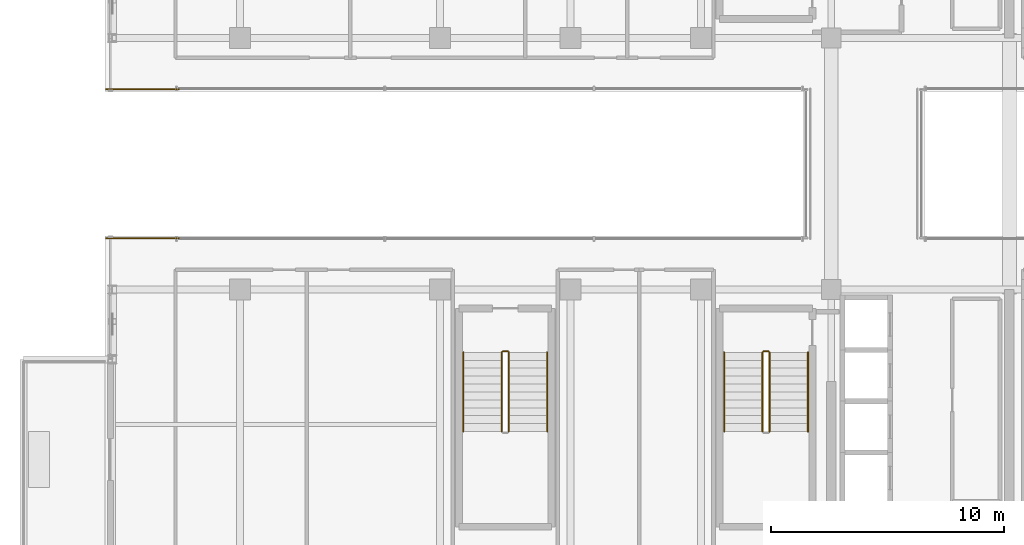
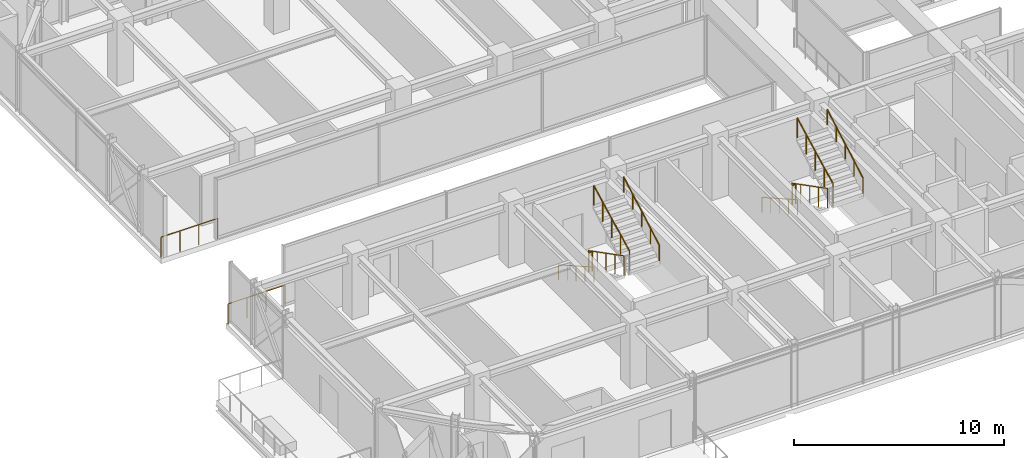
# One storey, part 35 of 37: 12 railings.
"""IFC4 building model written with IfcOpenShell, lengths in metres."""

from ifc_helpers import new_model, si_unit, direction, frame, origin, origin_2d, place, context, subcontext, project, spatial, circle, extrude, material, type_object, element, save


model = new_model("IFC4")

# Units and contexts
model_context = context("Model", 3, precision=1e-05, world=origin(), true_north=direction((0.0, 1.0)))
body_context = subcontext(model_context, "Body", "Model", "MODEL_VIEW")
ifc_project = project(units=[si_unit("LENGTHUNIT", "METRE"), si_unit("AREAUNIT", "SQUARE_METRE"), si_unit("VOLUMEUNIT", "CUBIC_METRE"), si_unit("PLANEANGLEUNIT", "RADIAN"), si_unit("MASSUNIT", "GRAM", prefix="KILO")], contexts=[model_context])

# Site, building, storey
site_placement = place(None, origin())
site = spatial("IfcSite", under=ifc_project, at=site_placement, CompositionType="ELEMENT")
building_placement = place(site_placement, origin())
building = spatial("IfcBuilding", under=site, at=building_placement, Name="Nahalor Promenade Grand Hotel", CompositionType="ELEMENT")
storey_placement = place(building_placement, frame((0.0, 0.0, 308.050048828125)))
storey = spatial("IfcBuildingStorey", under=building, at=storey_placement, Name="L79", CompositionType="ELEMENT", Elevation=308.050048828125)

# Railings
ifc_material_1 = material(Name="Anodised Bronze Aluminium EN AW-6063 T6", Category="aluminium")
railing_type_1 = type_object("IfcRailingType", Name="Bronze Balcony Guardrail 1200 mm", PredefinedType="GUARDRAIL", material=ifc_material_1)
for number, where, name in (
    (1, (-22.739990234375, -3.199951171875, 0.0), "L79 Oculus Void Edge Guardrail WS"),
    (2, (-22.739990234375, 3.199951171875, 0.0), "L79 Oculus Void Edge Guardrail WN"),
):
    element("IfcRailing", number, at=place(storey_placement, frame(where)), inside=storey, type_object=railing_type_1, Name=name, PredefinedType="GUARDRAIL", context=body_context, shape_type="SweptSolid", body=[
        extrude(circle(Radius=0.024048, at=origin_2d()), frame((0.0, 0.0, 1.17578125), z_axis=(1.0, 0.0, 0.0), x_axis=(0.0, 1.0, 0.0)), (0.0, 0.0, 1.0), 3.119873046875),
        extrude(circle(Radius=0.020996, at=origin_2d()), origin(), (0.0, 0.0, 1.0), 1.14990234375),
        extrude(circle(Radius=0.020996, at=origin_2d()), frame((1.0400390625, 0.0, 0.0)), (0.0, 0.0, 1.0), 1.14990234375),
        extrude(circle(Radius=0.020996, at=origin_2d()), frame((2.079833984375, 0.0, 0.0)), (0.0, 0.0, 1.0), 1.14990234375),
        extrude(circle(Radius=0.020996, at=origin_2d()), frame((3.119873046875, 0.0, 0.0)), (0.0, 0.0, 1.0), 1.14990234375),
    ])
ifc_material_2 = material(Name="Steel S355JR", Category="steel")
railing_type_2 = type_object("IfcRailingType", Name="Steel Stair Guardrail 1150 mm", PredefinedType="GUARDRAIL", material=ifc_material_2)
railing_1_placement = place(storey_placement, frame((5.449951171875, -8.10009765625, 0.175048828125)))
element("IfcRailing", 3, at=railing_1_placement, inside=storey, type_object=railing_type_2, Name="L79 ST2 stair guard 1", PredefinedType="GUARDRAIL", context=body_context, shape_type="SweptSolid", body=[
    extrude(circle(Radius=0.024048, at=origin_2d()), frame((0.0, 0.0, 1.1259765625), z_axis=(0.0, -0.889130461562, 0.457653823673), x_axis=(1.0, 0.0, 0.0)), (0.0, 0.0, 1.0), 3.82373046875),
    extrude(circle(Radius=0.020996, at=origin_2d()), origin(), (0.0, 0.0, 1.0), 1.099853515625),
    extrude(circle(Radius=0.020996, at=origin_2d()), frame((0.0, -0.85009765625, 0.4375)), (0.0, 0.0, 1.0), 1.099853515625),
    extrude(circle(Radius=0.020996, at=origin_2d()), frame((0.0, -1.699951171875, 0.875)), (0.0, 0.0, 1.0), 1.099853515625),
    extrude(circle(Radius=0.020996, at=origin_2d()), frame((0.0, -2.5498046875, 1.3125)), (0.0, 0.0, 1.0), 1.099853515625),
    extrude(circle(Radius=0.020996, at=origin_2d()), frame((0.0, -3.39990234375, 1.75)), (0.0, 0.0, 1.0), 1.099853515625),
])
railing_2_placement = place(storey_placement, frame((5.75, -11.5, 2.099853515625)))
element("IfcRailing", 4, at=railing_2_placement, inside=storey, type_object=railing_type_2, Name="L79 ST2 stair guard 3", PredefinedType="GUARDRAIL", context=body_context, shape_type="SweptSolid", body=[
    extrude(circle(Radius=0.024048, at=origin_2d()), frame((0.0, 0.0, 1.1259765625), z_axis=(0.0, 0.889130461562, 0.457653823673), x_axis=(-1.0, 0.0, 0.0)), (0.0, 0.0, 1.0), 3.82373046875),
    extrude(circle(Radius=0.020996, at=origin_2d()), origin(), (0.0, 0.0, 1.0), 1.099853515625),
    extrude(circle(Radius=0.020996, at=origin_2d()), frame((0.0, 0.85009765625, 0.4375)), (0.0, 0.0, 1.0), 1.099853515625),
    extrude(circle(Radius=0.020996, at=origin_2d()), frame((0.0, 1.699951171875, 0.875)), (0.0, 0.0, 1.0), 1.099853515625),
    extrude(circle(Radius=0.020996, at=origin_2d()), frame((0.0, 2.5498046875, 1.3125)), (0.0, 0.0, 1.0), 1.099853515625),
    extrude(circle(Radius=0.020996, at=origin_2d()), frame((0.0, 3.39990234375, 1.75)), (0.0, 0.0, 1.0), 1.099853515625),
])
railing_3_placement = place(storey_placement, frame((5.5, -8.050048828125, 0.0)))
element("IfcRailing", 5, at=railing_3_placement, inside=storey, type_object=railing_type_2, Name="L79 ST2 stair guard 4", PredefinedType="GUARDRAIL", context=body_context, shape_type="SweptSolid", body=[
    extrude(circle(Radius=0.024048, at=origin_2d()), frame((0.0, 0.0, 1.1259765625), z_axis=(1.0, 0.0, 0.0), x_axis=(0.0, 1.0, 0.0)), (0.0, 0.0, 1.0), 0.199951171875),
    extrude(circle(Radius=0.020996, at=origin_2d()), origin(), (0.0, 0.0, 1.0), 1.099853515625),
    extrude(circle(Radius=0.020996, at=origin_2d()), frame((0.199951171875, 0.0, 0.0)), (0.0, 0.0, 1.0), 1.099853515625),
])
railing_4_placement = place(storey_placement, frame((-5.75, -8.10009765625, 0.175048828125)))
element("IfcRailing", 6, at=railing_4_placement, inside=storey, type_object=railing_type_2, Name="L79 ST3 stair guard 1", PredefinedType="GUARDRAIL", context=body_context, shape_type="SweptSolid", body=[
    extrude(circle(Radius=0.024048, at=origin_2d()), frame((0.0, 0.0, 1.1259765625), z_axis=(0.0, -0.889130461562, 0.457653823673), x_axis=(1.0, 0.0, 0.0)), (0.0, 0.0, 1.0), 3.82373046875),
    extrude(circle(Radius=0.020996, at=origin_2d()), origin(), (0.0, 0.0, 1.0), 1.099853515625),
    extrude(circle(Radius=0.020996, at=origin_2d()), frame((0.0, -0.85009765625, 0.4375)), (0.0, 0.0, 1.0), 1.099853515625),
    extrude(circle(Radius=0.020996, at=origin_2d()), frame((0.0, -1.699951171875, 0.875)), (0.0, 0.0, 1.0), 1.099853515625),
    extrude(circle(Radius=0.020996, at=origin_2d()), frame((0.0, -2.5498046875, 1.3125)), (0.0, 0.0, 1.0), 1.099853515625),
    extrude(circle(Radius=0.020996, at=origin_2d()), frame((0.0, -3.39990234375, 1.75)), (0.0, 0.0, 1.0), 1.099853515625),
])
railing_5_placement = place(storey_placement, frame((-5.449951171875, -11.5, 2.099853515625)))
element("IfcRailing", 7, at=railing_5_placement, inside=storey, type_object=railing_type_2, Name="L79 ST3 stair guard 3", PredefinedType="GUARDRAIL", context=body_context, shape_type="SweptSolid", body=[
    extrude(circle(Radius=0.024048, at=origin_2d()), frame((0.0, 0.0, 1.1259765625), z_axis=(0.0, 0.889130461562, 0.457653823673), x_axis=(-1.0, 0.0, 0.0)), (0.0, 0.0, 1.0), 3.82373046875),
    extrude(circle(Radius=0.020996, at=origin_2d()), origin(), (0.0, 0.0, 1.0), 1.099853515625),
    extrude(circle(Radius=0.020996, at=origin_2d()), frame((0.0, 0.85009765625, 0.4375)), (0.0, 0.0, 1.0), 1.099853515625),
    extrude(circle(Radius=0.020996, at=origin_2d()), frame((0.0, 1.699951171875, 0.875)), (0.0, 0.0, 1.0), 1.099853515625),
    extrude(circle(Radius=0.020996, at=origin_2d()), frame((0.0, 2.5498046875, 1.3125)), (0.0, 0.0, 1.0), 1.099853515625),
    extrude(circle(Radius=0.020996, at=origin_2d()), frame((0.0, 3.39990234375, 1.75)), (0.0, 0.0, 1.0), 1.099853515625),
])
railing_6_placement = place(storey_placement, frame((-5.699951171875, -8.050048828125, 0.0)))
element("IfcRailing", 8, at=railing_6_placement, inside=storey, type_object=railing_type_2, Name="L79 ST3 stair guard 4", PredefinedType="GUARDRAIL", context=body_context, shape_type="SweptSolid", body=[
    extrude(circle(Radius=0.024048, at=origin_2d()), frame((0.0, 0.0, 1.1259765625), z_axis=(1.0, 0.0, 0.0), x_axis=(0.0, 1.0, 0.0)), (0.0, 0.0, 1.0), 0.199951171875),
    extrude(circle(Radius=0.020996, at=origin_2d()), origin(), (0.0, 0.0, 1.0), 1.099853515625),
    extrude(circle(Radius=0.020996, at=origin_2d()), frame((0.199951171875, 0.0, 0.0)), (0.0, 0.0, 1.0), 1.099853515625),
])
railing_type_3 = type_object("IfcRailingType", Name="Steel Stair Handrail 900 mm", PredefinedType="HANDRAIL", material=ifc_material_2)
railing_7_placement = place(storey_placement, frame((3.800048828125, -8.10009765625, 0.175048828125)))
element("IfcRailing", 9, at=railing_7_placement, inside=storey, type_object=railing_type_3, Name="L79 ST2 stair handrail 1", PredefinedType="HANDRAIL", context=body_context, shape_type="SweptSolid", body=[
    extrude(circle(Radius=0.024048, at=origin_2d()), frame((0.0, 0.0, 0.8759765625), z_axis=(0.0, -0.870220461208, 0.492662510137), x_axis=(1.0, 0.0, 0.0)), (0.0, 0.0, 1.0), 3.906982421875),
    extrude(circle(Radius=0.020996, at=origin_2d()), origin(), (0.0, 0.0, 1.0), 0.849853515625),
    extrude(circle(Radius=0.020996, at=origin_2d()), frame((0.0, -0.85009765625, 0.481201171875)), (0.0, 0.0, 1.0), 0.849853515625),
    extrude(circle(Radius=0.020996, at=origin_2d()), frame((0.0, -1.699951171875, 0.96240234375)), (0.0, 0.0, 1.0), 0.849853515625),
    extrude(circle(Radius=0.020996, at=origin_2d()), frame((0.0, -2.5498046875, 1.443603515625)), (0.0, 0.0, 1.0), 0.849853515625),
    extrude(circle(Radius=0.020996, at=origin_2d()), frame((0.0, -3.39990234375, 1.9248046875)), (0.0, 0.0, 1.0), 0.849853515625),
])
railing_8_placement = place(storey_placement, frame((7.39990234375, -11.5, 2.099853515625)))
element("IfcRailing", 10, at=railing_8_placement, inside=storey, type_object=railing_type_3, Name="L79 ST2 stair handrail 2", PredefinedType="HANDRAIL", context=body_context, shape_type="SweptSolid", body=[
    extrude(circle(Radius=0.024048, at=origin_2d()), frame((0.0, 0.0, 0.8759765625), z_axis=(0.0, 0.870193670192, 0.492709829776), x_axis=(-1.0, 0.0, 0.0)), (0.0, 0.0, 1.0), 3.906982421875),
    extrude(circle(Radius=0.020996, at=origin_2d()), origin(), (0.0, 0.0, 1.0), 0.849853515625),
    extrude(circle(Radius=0.020996, at=origin_2d()), frame((0.0, 0.85009765625, 0.481201171875)), (0.0, 0.0, 1.0), 0.849853515625),
    extrude(circle(Radius=0.020996, at=origin_2d()), frame((0.0, 1.699951171875, 0.96240234375)), (0.0, 0.0, 1.0), 0.849853515625),
    extrude(circle(Radius=0.020996, at=origin_2d()), frame((0.0, 2.5498046875, 1.44384765625)), (0.0, 0.0, 1.0), 0.849853515625),
    extrude(circle(Radius=0.020996, at=origin_2d()), frame((0.0, 3.39990234375, 1.925048828125)), (0.0, 0.0, 1.0), 0.849853515625),
])
railing_9_placement = place(storey_placement, frame((-7.39990234375, -8.10009765625, 0.175048828125)))
element("IfcRailing", 11, at=railing_9_placement, inside=storey, type_object=railing_type_3, Name="L79 ST3 stair handrail 1", PredefinedType="HANDRAIL", context=body_context, shape_type="SweptSolid", body=[
    extrude(circle(Radius=0.024048, at=origin_2d()), frame((0.0, 0.0, 0.8759765625), z_axis=(0.0, -0.870220461208, 0.492662510137), x_axis=(1.0, 0.0, 0.0)), (0.0, 0.0, 1.0), 3.906982421875),
    extrude(circle(Radius=0.020996, at=origin_2d()), origin(), (0.0, 0.0, 1.0), 0.849853515625),
    extrude(circle(Radius=0.020996, at=origin_2d()), frame((0.0, -0.85009765625, 0.481201171875)), (0.0, 0.0, 1.0), 0.849853515625),
    extrude(circle(Radius=0.020996, at=origin_2d()), frame((0.0, -1.699951171875, 0.96240234375)), (0.0, 0.0, 1.0), 0.849853515625),
    extrude(circle(Radius=0.020996, at=origin_2d()), frame((0.0, -2.5498046875, 1.443603515625)), (0.0, 0.0, 1.0), 0.849853515625),
    extrude(circle(Radius=0.020996, at=origin_2d()), frame((0.0, -3.39990234375, 1.9248046875)), (0.0, 0.0, 1.0), 0.849853515625),
])
railing_10_placement = place(storey_placement, frame((-3.800048828125, -11.5, 2.099853515625)))
element("IfcRailing", 12, at=railing_10_placement, inside=storey, type_object=railing_type_3, Name="L79 ST3 stair handrail 2", PredefinedType="HANDRAIL", context=body_context, shape_type="SweptSolid", body=[
    extrude(circle(Radius=0.024048, at=origin_2d()), frame((0.0, 0.0, 0.8759765625), z_axis=(0.0, 0.870193670192, 0.492709829776), x_axis=(-1.0, 0.0, 0.0)), (0.0, 0.0, 1.0), 3.906982421875),
    extrude(circle(Radius=0.020996, at=origin_2d()), origin(), (0.0, 0.0, 1.0), 0.849853515625),
    extrude(circle(Radius=0.020996, at=origin_2d()), frame((0.0, 0.85009765625, 0.481201171875)), (0.0, 0.0, 1.0), 0.849853515625),
    extrude(circle(Radius=0.020996, at=origin_2d()), frame((0.0, 1.699951171875, 0.96240234375)), (0.0, 0.0, 1.0), 0.849853515625),
    extrude(circle(Radius=0.020996, at=origin_2d()), frame((0.0, 2.5498046875, 1.44384765625)), (0.0, 0.0, 1.0), 0.849853515625),
    extrude(circle(Radius=0.020996, at=origin_2d()), frame((0.0, 3.39990234375, 1.925048828125)), (0.0, 0.0, 1.0), 0.849853515625),
])

save(model, "model.ifc")
